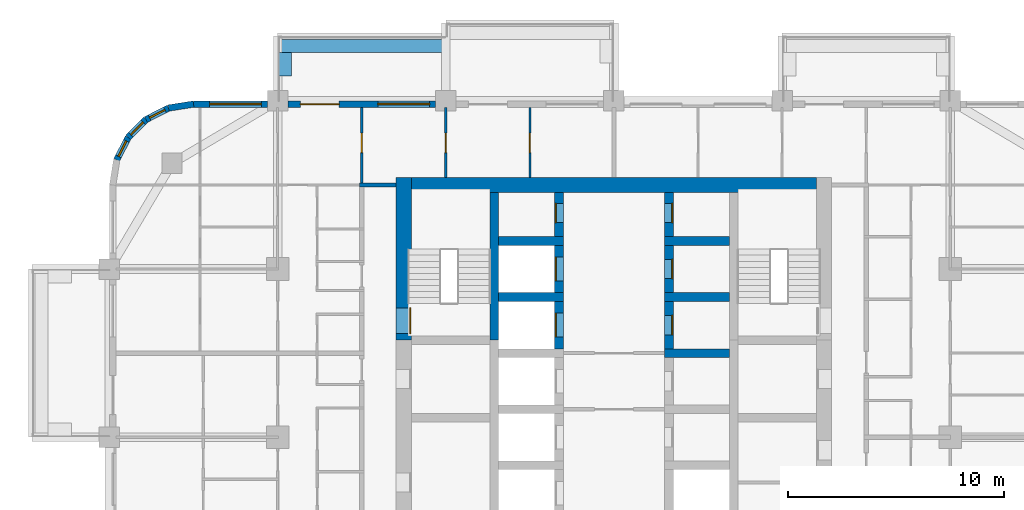
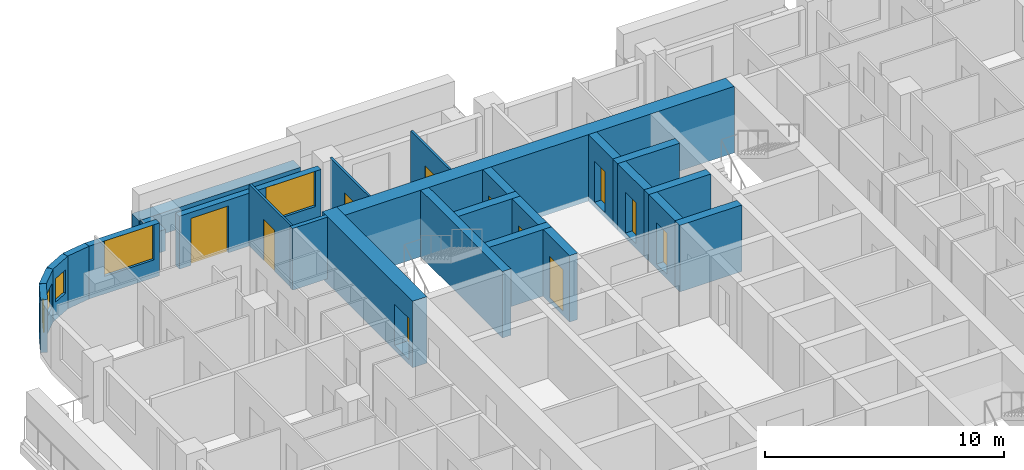
# One storey, part 11 of 18: 26 walls, 11 doors, 5 windows, 16 openings.
"""IFC4 building model written with IfcOpenShell, lengths in metres."""

from ifc_helpers import new_model, si_unit, direction, frame, frame_2d, origin, place, context, subcontext, project, spatial, rectangle, extrude, material, layer, layer_set, type_object, element, fill, save


model = new_model("IFC4")

# Units and contexts
model_context = context("Model", 3, precision=1e-05, world=origin(), true_north=direction((0.0, 1.0)))
body_context = subcontext(model_context, "Body", "Model", "MODEL_VIEW")
ifc_project = project(units=[si_unit("LENGTHUNIT", "METRE"), si_unit("AREAUNIT", "SQUARE_METRE"), si_unit("VOLUMEUNIT", "CUBIC_METRE"), si_unit("PLANEANGLEUNIT", "RADIAN"), si_unit("MASSUNIT", "GRAM", prefix="KILO")], contexts=[model_context])

# Site, building, storey
site_placement = place(None, origin())
site = spatial("IfcSite", under=ifc_project, at=site_placement, CompositionType="ELEMENT")
building_placement = place(site_placement, origin())
building = spatial("IfcBuilding", under=site, at=building_placement, Name="Ludao Terraces", CompositionType="ELEMENT")
storey_placement = place(building_placement, frame((0.0, 0.0, 61.39990234375)))
storey = spatial("IfcBuildingStorey", under=building, at=storey_placement, Name="L16", CompositionType="ELEMENT", Elevation=61.39990234375)

# Wall, opening, door
ifc_material_1 = material(Name="Concrete C70", Category="concrete")
ifc_layer_1 = layer(ifc_material_1, 0.699951171875)
ifc_layer_set_1 = layer_set([ifc_layer_1], Name="Core wall 700 C70")
wall_type_1 = type_object("IfcWallType", Name="Core wall 700 C70", PredefinedType="SOLIDWALL", material=ifc_layer_set_1)
wall_1_placement = place(storey_placement, frame((75.25, 77.300048828125, -0.25), z_axis=(0.0, 0.0, 1.0), x_axis=(0.0, 1.0, 0.0)))
wall_1 = element("IfcWall", 1, at=wall_1_placement, inside=storey, type_object=wall_type_1, Name="Core wall L16 outer-W-S1", PredefinedType="SOLIDWALL", context=body_context, shape_type="SweptSolid", body=[
    extrude(rectangle(XDim=7.550048828125, YDim=0.699951171875, at=frame_2d((3.77490234375, 0.0))), origin(), (0.0, 0.0, 1.0), 3.400146484375),
])
opening_1_placement = place(wall_1_placement, frame((0.300048828125, 0.0, 0.25)))
opening_1 = element("IfcOpeningElement", 2, at=opening_1_placement, cuts=wall_1, Name="Opening R05-135", PredefinedType="OPENING", context=body_context, shape_type="SweptSolid", body=[
    extrude(rectangle(XDim=1.199951171875, YDim=2.10009765625, at=frame_2d((0.60009765625, 1.050048828125))), frame((0.0, 0.35986328125, 0.0), z_axis=(0.0, -1.0, 0.0), x_axis=(1.0, 0.0, 0.0)), (0.0, 0.0, 1.0), 0.719970703125),
])
ifc_material_2 = material(Name="Steel Q235", Category="steel")
door_type_1 = type_object("IfcDoorType", Name="INT Stair door 1200", OperationType="DOUBLE_DOOR_SINGLE_SWING", PredefinedType="DOOR", material=ifc_material_2)
door_1_placement = place(opening_1_placement, origin())
door_1 = element("IfcDoor", 3, at=door_1_placement, inside=storey, type_object=door_type_1, Name="DOOR 135", OperationType="DOUBLE_DOOR_SINGLE_SWING", OverallHeight=2.10009765625, OverallWidth=1.199951171875, PredefinedType="DOOR", context=body_context, shape_type="SweptSolid", body=[
    extrude(rectangle(XDim=1.199951171875, YDim=2.10009765625, at=frame_2d((0.60009765625, 1.050048828125))), frame((0.0, -0.28515625, 0.0), z_axis=(0.0, -1.0, 0.0), x_axis=(1.0, 0.0, 0.0)), (0.0, 0.0, 1.0), 0.050048828125),
])
fill(opening_1, door_1)

# Walls
wall_2_placement = place(storey_placement, frame((75.60009765625, 84.5, -0.25), z_axis=(0.0, 0.0, 1.0), x_axis=(1.0, 0.0, 0.0)))
element("IfcWall", 4, at=wall_2_placement, inside=storey, type_object=wall_type_1, Name="Core wall L16 outer-N", PredefinedType="SOLIDWALL", context=body_context, shape_type="SweptSolid", body=[
    extrude(rectangle(XDim=18.7998046875, YDim=0.699951171875, at=frame_2d((9.39990234375, 0.0))), origin(), (0.0, 0.0, 1.0), 3.400146484375),
])
ifc_material_3 = material(Name="Concrete C40", Category="concrete")
ifc_layer_2 = layer(ifc_material_3, 0.60009765625)
ifc_layer_set_2 = layer_set([ifc_layer_2], Name="ENV Planter trough 600")
wall_type_2 = type_object("IfcWallType", Name="ENV Planter trough 600", PredefinedType="USERDEFINED", material=ifc_layer_set_2)
wall_3_placement = place(storey_placement, frame((69.39990234375, 90.949951171875, 0.0), z_axis=(0.0, 0.0, 1.0), x_axis=(1.0, 0.0, 0.0)))
element("IfcWall", 5, at=wall_3_placement, inside=storey, type_object=wall_type_2, Name="PL-L16-N1", ObjectType="PLANTER", PredefinedType="USERDEFINED", context=body_context, shape_type="SweptSolid", body=[
    extrude(rectangle(XDim=7.800048828125, YDim=0.60009765625, at=frame_2d((3.89990234375, 0.0))), origin(), (0.0, 0.0, 1.0), 1.10009765625),
])
wall_4_placement = place(storey_placement, frame((69.75, 90.64990234375, 0.0), z_axis=(0.0, 0.0, 1.0), x_axis=(0.0, -1.0, 0.0)))
element("IfcWall", 6, at=wall_4_placement, inside=storey, type_object=wall_type_2, Name="PL-L16-N1-SA", ObjectType="PLANTER", PredefinedType="USERDEFINED", context=body_context, shape_type="SweptSolid", body=[
    extrude(rectangle(XDim=1.099853515625, YDim=0.60009765625, at=frame_2d((0.5498046875, 0.0))), origin(), (0.0, 0.0, 1.0), 1.10009765625),
])

# Wall, opening, window
ifc_material_4 = material(Name="Granite cladding", Category="masonry")
ifc_layer_3 = layer(ifc_material_4, 0.0400390625, Category="stone")
ifc_material_5 = material(Name="Mineral wool")
ifc_layer_4 = layer(ifc_material_5, 0.06005859375)
ifc_layer_5 = layer(ifc_material_3, 0.199951171875, Category="concrete")
ifc_layer_set_3 = layer_set([ifc_layer_3, ifc_layer_4, ifc_layer_5], Name="ENV Stone-clad wall 300")
wall_type_3 = type_object("IfcWallType", Name="ENV Stone-clad wall 300", PredefinedType="SOLIDWALL", material=ifc_layer_set_3)
wall_5_placement = place(storey_placement, frame((65.5, 88.25, 0.0), z_axis=(0.0, 0.0, 1.0), x_axis=(1.0, 0.0, 0.0)))
wall_5 = element("IfcWall", 7, at=wall_5_placement, inside=storey, type_object=wall_type_3, Name="EW-L16-N1", PredefinedType="SOLIDWALL", context=body_context, shape_type="SweptSolid", body=[
    extrude(rectangle(XDim=3.425048828125, YDim=0.300048828125, at=frame_2d((1.71240234375, 0.0))), origin(), (0.0, 0.0, 1.0), 2.7001953125),
])
opening_2_placement = place(wall_5_placement, frame((0.75, 0.0, 0.89990234375)))
opening_2 = element("IfcOpeningElement", 8, at=opening_2_placement, cuts=wall_5, Name="Opening W1", PredefinedType="OPENING", context=body_context, shape_type="SweptSolid", body=[
    extrude(rectangle(XDim=2.39990234375, YDim=1.800048828125, at=frame_2d((1.199951171875, 0.89990234375))), frame((0.0, 0.16015625, 0.0), z_axis=(0.0, -1.0, 0.0), x_axis=(1.0, 0.0, 0.0)), (0.0, 0.0, 1.0), 0.320068359375),
])
ifc_material_6 = material(Name="Clear glass in aluminium frame", Category="aluminium")
ifc_layer_6 = layer(ifc_material_6, 0.06005859375)
ifc_layer_set_4 = layer_set([ifc_layer_6], Name="ENV Window W1 2400x1800")
window_type_1 = type_object("IfcWindowType", Name="ENV Window W1 2400x1800", PartitioningType="DOUBLE_PANEL_VERTICAL", PredefinedType="WINDOW", material=ifc_layer_set_4)
window_1_placement = place(opening_2_placement, origin())
window_1 = element("IfcWindow", 9, at=window_1_placement, inside=storey, type_object=window_type_1, Name="W-L16-N1-1", OverallHeight=1.800048828125, OverallWidth=2.39990234375, PartitioningType="DOUBLE_PANEL_VERTICAL", PredefinedType="WINDOW", context=body_context, shape_type="SweptSolid", body=[
    extrude(rectangle(XDim=2.39990234375, YDim=1.800048828125, at=frame_2d((1.199951171875, 0.89990234375))), frame((0.0, 0.030029296875, 0.0), z_axis=(0.0, -1.0, 0.0), x_axis=(1.0, 0.0, 0.0)), (0.0, 0.0, 1.0), 0.06005859375),
])
fill(opening_2, window_1)

# Wall, openings, door, window
wall_6_placement = place(storey_placement, frame((69.875, 88.25, 0.0), z_axis=(0.0, 0.0, 1.0), x_axis=(1.0, 0.0, 0.0)))
wall_6 = element("IfcWall", 10, at=wall_6_placement, inside=storey, type_object=wall_type_3, Name="EW-L16-N2", PredefinedType="SOLIDWALL", context=body_context, shape_type="SweptSolid", body=[
    extrude(rectangle(XDim=6.85009765625, YDim=0.300048828125, at=frame_2d((3.425048828125, 0.0))), origin(), (0.0, 0.0, 1.0), 2.7001953125),
])
opening_3_placement = place(wall_6_placement, frame((0.574951171875, 0.0, 0.0)))
opening_3 = element("IfcOpeningElement", 11, at=opening_3_placement, cuts=wall_6, Name="Opening BD", PredefinedType="OPENING", context=body_context, shape_type="SweptSolid", body=[
    extrude(rectangle(XDim=1.800048828125, YDim=2.39990234375, at=frame_2d((0.89990234375, 1.199951171875))), frame((0.0, 0.16015625, 0.0), z_axis=(0.0, -1.0, 0.0), x_axis=(1.0, 0.0, 0.0)), (0.0, 0.0, 1.0), 0.320068359375),
])
opening_4_placement = place(wall_6_placement, frame((4.175048828125, 0.0, 0.89990234375)))
opening_4 = element("IfcOpeningElement", 12, at=opening_4_placement, cuts=wall_6, Name="Opening W1", PredefinedType="OPENING", context=body_context, shape_type="SweptSolid", body=[
    extrude(rectangle(XDim=2.39990234375, YDim=1.800048828125, at=frame_2d((1.199951171875, 0.89990234375))), frame((0.0, 0.16015625, 0.0), z_axis=(0.0, -1.0, 0.0), x_axis=(1.0, 0.0, 0.0)), (0.0, 0.0, 1.0), 0.320068359375),
])
ifc_material_7 = material(Name="Aluminium glazed door", Category="aluminium")
ifc_layer_7 = layer(ifc_material_7, 0.06005859375)
ifc_layer_set_5 = layer_set([ifc_layer_7], Name="ENV Balcony door BD 1800x2400")
door_type_2 = type_object("IfcDoorType", Name="ENV Balcony door BD 1800x2400", OperationType="DOUBLE_DOOR_SINGLE_SWING", PredefinedType="DOOR", material=ifc_layer_set_5)
door_2_placement = place(opening_3_placement, origin())
door_2 = element("IfcDoor", 13, at=door_2_placement, inside=storey, type_object=door_type_2, Name="BD-L16-N2-1", OperationType="DOUBLE_DOOR_SINGLE_SWING", OverallHeight=2.39990234375, OverallWidth=1.800048828125, PredefinedType="DOOR", context=body_context, shape_type="SweptSolid", body=[
    extrude(rectangle(XDim=1.800048828125, YDim=2.39990234375, at=frame_2d((0.89990234375, 1.199951171875))), frame((0.0, 0.02490234375, 0.0), z_axis=(0.0, -1.0, 0.0), x_axis=(1.0, 0.0, 0.0)), (0.0, 0.0, 1.0), 0.050048828125),
])
fill(opening_3, door_2)
window_2_placement = place(opening_4_placement, origin())
window_2 = element("IfcWindow", 14, at=window_2_placement, inside=storey, type_object=window_type_1, Name="W-L16-N2-2", OverallHeight=1.800048828125, OverallWidth=2.39990234375, PartitioningType="DOUBLE_PANEL_VERTICAL", PredefinedType="WINDOW", context=body_context, shape_type="SweptSolid", body=[
    extrude(rectangle(XDim=2.39990234375, YDim=1.800048828125, at=frame_2d((1.199951171875, 0.89990234375))), frame((0.0, 0.030029296875, 0.0), z_axis=(0.0, -1.0, 0.0), x_axis=(1.0, 0.0, 0.0)), (0.0, 0.0, 1.0), 0.06005859375),
])
fill(opening_4, window_2)

# Wall
wall_7_placement = place(storey_placement, frame((65.5, 88.25, 0.0), z_axis=(0.0, 0.0, 1.0), x_axis=(-0.987678452879, -0.156496880861, 0.0)))
element("IfcWall", 15, at=wall_7_placement, inside=storey, type_object=wall_type_3, Name="EW-L16-NW1", PredefinedType="SOLIDWALL", context=body_context, shape_type="SweptSolid", body=[
    extrude(rectangle(XDim=1.173095703125, YDim=0.300048828125, at=frame_2d((0.58642578125, 0.0))), origin(), (0.0, 0.0, 1.0), 2.7001953125),
])

# Wall, opening, window
wall_8_placement = place(storey_placement, frame((64.34130859375, 88.06640625, 0.0), z_axis=(0.0, 0.0, 1.0), x_axis=(-0.890988677504, -0.454025524128, 0.0)))
wall_8 = element("IfcWall", 16, at=wall_8_placement, inside=storey, type_object=wall_type_3, Name="EW-L16-NW2", PredefinedType="SOLIDWALL", context=body_context, shape_type="SweptSolid", body=[
    extrude(rectangle(XDim=1.17333984375, YDim=0.300048828125, at=frame_2d((0.586669921875, 0.0))), origin(), (0.0, 0.0, 1.0), 2.7001953125),
])
opening_5_placement = place(wall_8_placement, frame((0.1865234375, 0.0, 0.89990234375)))
opening_5 = element("IfcOpeningElement", 17, at=opening_5_placement, cuts=wall_8, Name="Opening W3", PredefinedType="OPENING", context=body_context, shape_type="SweptSolid", body=[
    extrude(rectangle(XDim=0.800048828125, YDim=1.199951171875, at=frame_2d((0.39990234375, 0.60009765625))), frame((0.0, 0.16015625, 0.0), z_axis=(0.0, -1.0, 0.0), x_axis=(1.0, 0.0, 0.0)), (0.0, 0.0, 1.0), 0.320068359375),
])
ifc_layer_8 = layer(ifc_material_6, 0.06005859375)
ifc_layer_set_6 = layer_set([ifc_layer_8], Name="ENV Window W3 800x1200")
window_type_2 = type_object("IfcWindowType", Name="ENV Window W3 800x1200", PartitioningType="SINGLE_PANEL", PredefinedType="WINDOW", material=ifc_layer_set_6)
window_3_placement = place(opening_5_placement, origin())
window_3 = element("IfcWindow", 18, at=window_3_placement, inside=storey, type_object=window_type_2, Name="W-L16-NW2", OverallHeight=1.199951171875, OverallWidth=0.800048828125, PartitioningType="SINGLE_PANEL", PredefinedType="WINDOW", context=body_context, shape_type="SweptSolid", body=[
    extrude(rectangle(XDim=0.800048828125, YDim=1.199951171875, at=frame_2d((0.39990234375, 0.60009765625))), frame((0.0, 0.030029296875, 0.0), z_axis=(0.0, -1.0, 0.0), x_axis=(1.0, 0.0, 0.0)), (0.0, 0.0, 1.0), 0.06005859375),
])
fill(opening_5, window_3)

wall_9_placement = place(storey_placement, frame((63.2958984375, 87.53369140625, 0.0), z_axis=(0.0, 0.0, 1.0), x_axis=(-0.707106781187, -0.707106781187, 0.0)))
wall_9 = element("IfcWall", 19, at=wall_9_placement, inside=storey, type_object=wall_type_3, Name="EW-L16-NW3", PredefinedType="SOLIDWALL", context=body_context, shape_type="SweptSolid", body=[
    extrude(rectangle(XDim=1.173095703125, YDim=0.300048828125, at=frame_2d((0.58642578125, 0.0))), origin(), (0.0, 0.0, 1.0), 2.7001953125),
])
opening_6_placement = place(wall_9_placement, frame((0.1865234375, 0.0, 0.89990234375)))
opening_6 = element("IfcOpeningElement", 20, at=opening_6_placement, cuts=wall_9, Name="Opening W3", PredefinedType="OPENING", context=body_context, shape_type="SweptSolid", body=[
    extrude(rectangle(XDim=0.800048828125, YDim=1.199951171875, at=frame_2d((0.39990234375, 0.60009765625))), frame((0.0, 0.16015625, 0.0), z_axis=(0.0, -1.0, 0.0), x_axis=(1.0, 0.0, 0.0)), (0.0, 0.0, 1.0), 0.320068359375),
])
window_4_placement = place(opening_6_placement, origin())
window_4 = element("IfcWindow", 21, at=window_4_placement, inside=storey, type_object=window_type_2, Name="W-L16-NW3", OverallHeight=1.199951171875, OverallWidth=0.800048828125, PartitioningType="SINGLE_PANEL", PredefinedType="WINDOW", context=body_context, shape_type="SweptSolid", body=[
    extrude(rectangle(XDim=0.800048828125, YDim=1.199951171875, at=frame_2d((0.39990234375, 0.60009765625))), frame((0.0, 0.030029296875, 0.0), z_axis=(0.0, -1.0, 0.0), x_axis=(1.0, 0.0, 0.0)), (0.0, 0.0, 1.0), 0.06005859375),
])
fill(opening_6, window_4)

wall_10_placement = place(storey_placement, frame((62.46630859375, 86.7041015625, 0.0), z_axis=(0.0, 0.0, 1.0), x_axis=(-0.454025524128, -0.890988677504, 0.0)))
wall_10 = element("IfcWall", 22, at=wall_10_placement, inside=storey, type_object=wall_type_3, Name="EW-L16-NW4", PredefinedType="SOLIDWALL", context=body_context, shape_type="SweptSolid", body=[
    extrude(rectangle(XDim=1.17333984375, YDim=0.300048828125, at=frame_2d((0.586669921875, 0.0))), origin(), (0.0, 0.0, 1.0), 2.7001953125),
])
opening_7_placement = place(wall_10_placement, frame((0.1865234375, 0.0, 0.89990234375)))
opening_7 = element("IfcOpeningElement", 23, at=opening_7_placement, cuts=wall_10, Name="Opening W3", PredefinedType="OPENING", context=body_context, shape_type="SweptSolid", body=[
    extrude(rectangle(XDim=0.800048828125, YDim=1.199951171875, at=frame_2d((0.39990234375, 0.60009765625))), frame((0.0, 0.16015625, 0.0), z_axis=(0.0, -1.0, 0.0), x_axis=(1.0, 0.0, 0.0)), (0.0, 0.0, 1.0), 0.320068359375),
])
window_5_placement = place(opening_7_placement, origin())
window_5 = element("IfcWindow", 24, at=window_5_placement, inside=storey, type_object=window_type_2, Name="W-L16-NW4", OverallHeight=1.199951171875, OverallWidth=0.800048828125, PartitioningType="SINGLE_PANEL", PredefinedType="WINDOW", context=body_context, shape_type="SweptSolid", body=[
    extrude(rectangle(XDim=0.800048828125, YDim=1.199951171875, at=frame_2d((0.39990234375, 0.60009765625))), frame((0.0, 0.030029296875, 0.0), z_axis=(0.0, -1.0, 0.0), x_axis=(1.0, 0.0, 0.0)), (0.0, 0.0, 1.0), 0.06005859375),
])
fill(opening_7, window_5)

# Wall
ifc_material_8 = material(Name="Autoclaved aerated concrete block B06 A3.5", Category="concrete")
ifc_layer_9 = layer(ifc_material_8, 0.199951171875)
ifc_layer_set_7 = layer_set([ifc_layer_9], Name="INT Entrance wall 200")
wall_type_4 = type_object("IfcWallType", Name="INT Entrance wall 200", PredefinedType="PARTITIONING", material=ifc_layer_set_7)
wall_11_placement = place(storey_placement, frame((73.2001953125, 84.5, 0.0), z_axis=(0.0, 0.0, 1.0), x_axis=(1.0, 0.0, 0.0)))
element("IfcWall", 25, at=wall_11_placement, inside=storey, type_object=wall_type_4, Name="PW-L16-PW078", PredefinedType="PARTITIONING", context=body_context, shape_type="SweptSolid", body=[
    extrude(rectangle(XDim=1.699951171875, YDim=0.199951171875, at=frame_2d((0.85009765625, 0.0))), origin(), (0.0, 0.0, 1.0), 3.150146484375),
])

# Wall, opening, door
ifc_material_9 = material(Name="Gypsum plasterboard", Category="gypsum")
ifc_layer_10 = layer(ifc_material_9, 0.012451171875, Category="gypsum")
ifc_layer_11 = layer(ifc_material_5, 0.06005859375, Name="insulation")
ifc_layer_12 = layer(ifc_material_2, 0.014892578125, Name="stud")
ifc_layer_13 = layer(ifc_material_9, 0.012451171875, Category="gypsum")
ifc_layer_set_8 = layer_set([ifc_layer_10, ifc_layer_11, ifc_layer_12, ifc_layer_13], Name="INT Partition 100")
wall_type_5 = type_object("IfcWallType", Name="INT Partition 100", PredefinedType="PARTITIONING", material=ifc_layer_set_8)
wall_12_placement = place(storey_placement, frame((73.300048828125, 84.60009765625, 0.0), z_axis=(0.0, 0.0, 1.0), x_axis=(0.0, 1.0, 0.0)))
wall_12 = element("IfcWall", 26, at=wall_12_placement, inside=storey, type_object=wall_type_5, Name="PW-L16-PW093", PredefinedType="PARTITIONING", context=body_context, shape_type="SweptSolid", body=[
    extrude(rectangle(XDim=3.5, YDim=0.10009765625, at=frame_2d((1.75, 0.0))), origin(), (0.0, 0.0, 1.0), 3.150146484375),
])
opening_8_placement = place(wall_12_placement, frame((1.39990234375, 0.0, 0.0)))
opening_8 = element("IfcOpeningElement", 27, at=opening_8_placement, cuts=wall_12, Name="Opening R05-161", PredefinedType="OPENING", context=body_context, shape_type="SweptSolid", body=[
    extrude(rectangle(XDim=0.89990234375, YDim=2.10009765625, at=frame_2d((0.449951171875, 1.050048828125))), frame((0.0, 0.06005859375, 0.0), z_axis=(0.0, -1.0, 0.0), x_axis=(1.0, 0.0, 0.0)), (0.0, 0.0, 1.0), 0.1201171875),
])
ifc_material_10 = material(Name="Timber door leaf", Category="wood")
door_type_3 = type_object("IfcDoorType", Name="INT Room door 900", OperationType="SINGLE_SWING_LEFT", PredefinedType="DOOR", material=ifc_material_10)
door_3_placement = place(opening_8_placement, origin())
door_3 = element("IfcDoor", 28, at=door_3_placement, inside=storey, type_object=door_type_3, Name="DOOR 161", OperationType="SINGLE_SWING_LEFT", OverallHeight=2.10009765625, OverallWidth=0.89990234375, PredefinedType="DOOR", context=body_context, shape_type="SweptSolid", body=[
    extrude(rectangle(XDim=0.89990234375, YDim=2.10009765625, at=frame_2d((0.449951171875, 1.050048828125))), frame((0.0, 0.02490234375, 0.0), z_axis=(0.0, -1.0, 0.0), x_axis=(1.0, 0.0, 0.0)), (0.0, 0.0, 1.0), 0.050048828125),
])
fill(opening_8, door_3)

wall_13_placement = place(storey_placement, frame((77.199951171875, 84.85009765625, 0.0), z_axis=(0.0, 0.0, 1.0), x_axis=(0.0, 1.0, 0.0)))
wall_13 = element("IfcWall", 29, at=wall_13_placement, inside=storey, type_object=wall_type_5, Name="PW-L16-PW097", PredefinedType="PARTITIONING", context=body_context, shape_type="SweptSolid", body=[
    extrude(rectangle(XDim=3.25, YDim=0.10009765625, at=frame_2d((1.625, 0.0))), origin(), (0.0, 0.0, 1.0), 3.150146484375),
])
opening_9_placement = place(wall_13_placement, frame((1.14990234375, 0.0, 0.0)))
opening_9 = element("IfcOpeningElement", 30, at=opening_9_placement, cuts=wall_13, Name="Opening R05-162", PredefinedType="OPENING", context=body_context, shape_type="SweptSolid", body=[
    extrude(rectangle(XDim=0.89990234375, YDim=2.10009765625, at=frame_2d((0.449951171875, 1.050048828125))), frame((0.0, 0.06005859375, 0.0), z_axis=(0.0, -1.0, 0.0), x_axis=(1.0, 0.0, 0.0)), (0.0, 0.0, 1.0), 0.1201171875),
])
door_4_placement = place(opening_9_placement, origin())
door_4 = element("IfcDoor", 31, at=door_4_placement, inside=storey, type_object=door_type_3, Name="DOOR 162", OperationType="SINGLE_SWING_RIGHT", OverallHeight=2.10009765625, OverallWidth=0.89990234375, PredefinedType="DOOR", context=body_context, shape_type="SweptSolid", body=[
    extrude(rectangle(XDim=0.89990234375, YDim=2.10009765625, at=frame_2d((0.449951171875, 1.050048828125))), frame((0.0, 0.02490234375, 0.0), z_axis=(0.0, -1.0, 0.0), x_axis=(1.0, 0.0, 0.0)), (0.0, 0.0, 1.0), 0.050048828125),
])
fill(opening_9, door_4)

wall_14_placement = place(storey_placement, frame((81.10009765625, 84.85009765625, 0.0), z_axis=(0.0, 0.0, 1.0), x_axis=(0.0, 1.0, 0.0)))
wall_14 = element("IfcWall", 32, at=wall_14_placement, inside=storey, type_object=wall_type_5, Name="PW-L16-PW102", PredefinedType="PARTITIONING", context=body_context, shape_type="SweptSolid", body=[
    extrude(rectangle(XDim=3.25, YDim=0.10009765625, at=frame_2d((1.625, 0.0))), origin(), (0.0, 0.0, 1.0), 3.150146484375),
])
opening_10_placement = place(wall_14_placement, frame((1.14990234375, 0.0, 0.0)))
opening_10 = element("IfcOpeningElement", 33, at=opening_10_placement, cuts=wall_14, Name="Opening R05-163", PredefinedType="OPENING", context=body_context, shape_type="SweptSolid", body=[
    extrude(rectangle(XDim=0.89990234375, YDim=2.10009765625, at=frame_2d((0.449951171875, 1.050048828125))), frame((0.0, 0.06005859375, 0.0), z_axis=(0.0, -1.0, 0.0), x_axis=(1.0, 0.0, 0.0)), (0.0, 0.0, 1.0), 0.1201171875),
])
door_5_placement = place(opening_10_placement, origin())
door_5 = element("IfcDoor", 34, at=door_5_placement, inside=storey, type_object=door_type_3, Name="DOOR 163", OperationType="SINGLE_SWING_RIGHT", OverallHeight=2.10009765625, OverallWidth=0.89990234375, PredefinedType="DOOR", context=body_context, shape_type="SweptSolid", body=[
    extrude(rectangle(XDim=0.89990234375, YDim=2.10009765625, at=frame_2d((0.449951171875, 1.050048828125))), frame((0.0, 0.02490234375, 0.0), z_axis=(0.0, -1.0, 0.0), x_axis=(1.0, 0.0, 0.0)), (0.0, 0.0, 1.0), 0.050048828125),
])
fill(opening_10, door_5)

# Wall
ifc_material_11 = material(Name="Concrete C60", Category="concrete")
ifc_layer_14 = layer(ifc_material_11, 0.39990234375)
ifc_layer_set_9 = layer_set([ifc_layer_14], Name="Shaft wall 400 C60")
wall_type_6 = type_object("IfcWallType", Name="Shaft wall 400 C60", PredefinedType="SOLIDWALL", material=ifc_layer_set_9)
wall_15_placement = place(storey_placement, frame((79.449951171875, 77.300048828125, -0.25), z_axis=(0.0, 0.0, 1.0), x_axis=(0.0, 1.0, 0.0)))
element("IfcWall", 35, at=wall_15_placement, inside=storey, type_object=wall_type_6, Name="Core wall L16 back-W-S1", PredefinedType="SOLIDWALL", context=body_context, shape_type="SweptSolid", body=[
    extrude(rectangle(XDim=6.849853515625, YDim=0.39990234375, at=frame_2d((3.4248046875, 0.0))), origin(), (0.0, 0.0, 1.0), 3.400146484375),
])

# Wall, opening, door
wall_16_placement = place(storey_placement, frame((82.449951171875, 76.89990234375, -0.25), z_axis=(0.0, 0.0, 1.0), x_axis=(0.0, 1.0, 0.0)))
wall_16 = element("IfcWall", 36, at=wall_16_placement, inside=storey, type_object=wall_type_6, Name="Core wall L16 front-W7", PredefinedType="SOLIDWALL", context=body_context, shape_type="SweptSolid", body=[
    extrude(rectangle(XDim=2.2001953125, YDim=0.39990234375, at=frame_2d((1.10009765625, 0.0))), origin(), (0.0, 0.0, 1.0), 3.400146484375),
])
opening_11_placement = place(wall_16_placement, frame((0.550048828125, 0.0, 0.25)))
opening_11 = element("IfcOpeningElement", 37, at=opening_11_placement, cuts=wall_16, Name="Opening LD-FF1", PredefinedType="OPENING", context=body_context, shape_type="SweptSolid", body=[
    extrude(rectangle(XDim=1.10009765625, YDim=2.10009765625, at=frame_2d((0.550048828125, 1.050048828125))), frame((0.0, 0.2099609375, 0.0), z_axis=(0.0, -1.0, 0.0), x_axis=(1.0, 0.0, 0.0)), (0.0, 0.0, 1.0), 0.419921875),
])
ifc_material_12 = material(Name="Stainless steel 304", Category="steel")
door_type_4 = type_object("IfcDoorType", Name="INT Lift landing door 1100", OperationType="SLIDING_TO_LEFT", PredefinedType="DOOR", material=ifc_material_12)
door_6_placement = place(opening_11_placement, origin())
door_6 = element("IfcDoor", 38, at=door_6_placement, inside=storey, type_object=door_type_4, Name="LANDING DOOR FF1 L16", OperationType="SLIDING_TO_LEFT", OverallHeight=2.10009765625, OverallWidth=1.10009765625, PredefinedType="DOOR", context=body_context, shape_type="SweptSolid", body=[
    extrude(rectangle(XDim=1.10009765625, YDim=2.10009765625, at=frame_2d((0.550048828125, 1.050048828125))), frame((0.0, 0.18505859375, 0.0), z_axis=(0.0, -1.0, 0.0), x_axis=(1.0, 0.0, 0.0)), (0.0, 0.0, 1.0), 0.050048828125),
])
fill(opening_11, door_6)

# Wall
wall_17_placement = place(storey_placement, frame((79.64990234375, 79.300048828125, -0.25), z_axis=(0.0, 0.0, 1.0), x_axis=(1.0, 0.0, 0.0)))
element("IfcWall", 39, at=wall_17_placement, inside=storey, type_object=wall_type_6, Name="Core wall L16 div-W8", PredefinedType="SOLIDWALL", context=body_context, shape_type="SweptSolid", body=[
    extrude(rectangle(XDim=3.0, YDim=0.39990234375, at=frame_2d((1.5, 0.0))), origin(), (0.0, 0.0, 1.0), 3.400146484375),
])

# Wall, opening, door
wall_18_placement = place(storey_placement, frame((82.449951171875, 79.5, -0.25), z_axis=(0.0, 0.0, 1.0), x_axis=(0.0, 1.0, 0.0)))
wall_18 = element("IfcWall", 40, at=wall_18_placement, inside=storey, type_object=wall_type_6, Name="Core wall L16 front-W8", PredefinedType="SOLIDWALL", context=body_context, shape_type="SweptSolid", body=[
    extrude(rectangle(XDim=2.199951171875, YDim=0.39990234375, at=frame_2d((1.10009765625, 0.0))), origin(), (0.0, 0.0, 1.0), 3.400146484375),
])
opening_12_placement = place(wall_18_placement, frame((0.550048828125, 0.0, 0.25)))
opening_12 = element("IfcOpeningElement", 41, at=opening_12_placement, cuts=wall_18, Name="Opening LD-FF2", PredefinedType="OPENING", context=body_context, shape_type="SweptSolid", body=[
    extrude(rectangle(XDim=1.10009765625, YDim=2.10009765625, at=frame_2d((0.550048828125, 1.050048828125))), frame((0.0, 0.2099609375, 0.0), z_axis=(0.0, -1.0, 0.0), x_axis=(1.0, 0.0, 0.0)), (0.0, 0.0, 1.0), 0.419921875),
])
door_7_placement = place(opening_12_placement, origin())
door_7 = element("IfcDoor", 42, at=door_7_placement, inside=storey, type_object=door_type_4, Name="LANDING DOOR FF2 L16", OperationType="SLIDING_TO_LEFT", OverallHeight=2.10009765625, OverallWidth=1.10009765625, PredefinedType="DOOR", context=body_context, shape_type="SweptSolid", body=[
    extrude(rectangle(XDim=1.10009765625, YDim=2.10009765625, at=frame_2d((0.550048828125, 1.050048828125))), frame((0.0, 0.18505859375, 0.0), z_axis=(0.0, -1.0, 0.0), x_axis=(1.0, 0.0, 0.0)), (0.0, 0.0, 1.0), 0.050048828125),
])
fill(opening_12, door_7)

# Wall
wall_19_placement = place(storey_placement, frame((79.64990234375, 81.89990234375, -0.25), z_axis=(0.0, 0.0, 1.0), x_axis=(1.0, 0.0, 0.0)))
element("IfcWall", 43, at=wall_19_placement, inside=storey, type_object=wall_type_6, Name="Core wall L16 div-W9", PredefinedType="SOLIDWALL", context=body_context, shape_type="SweptSolid", body=[
    extrude(rectangle(XDim=3.0, YDim=0.39990234375, at=frame_2d((1.5, 0.0))), origin(), (0.0, 0.0, 1.0), 3.400146484375),
])

# Wall, opening, door
wall_20_placement = place(storey_placement, frame((82.449951171875, 82.10009765625, -0.25), z_axis=(0.0, 0.0, 1.0), x_axis=(0.0, 1.0, 0.0)))
wall_20 = element("IfcWall", 44, at=wall_20_placement, inside=storey, type_object=wall_type_6, Name="Core wall L16 front-W9", PredefinedType="SOLIDWALL", context=body_context, shape_type="SweptSolid", body=[
    extrude(rectangle(XDim=2.0498046875, YDim=0.39990234375, at=frame_2d((1.02490234375, 0.0))), origin(), (0.0, 0.0, 1.0), 3.400146484375),
])
opening_13_placement = place(wall_20_placement, frame((0.64990234375, 0.0, 0.25)))
opening_13 = element("IfcOpeningElement", 45, at=opening_13_placement, cuts=wall_20, Name="Opening R05-149", PredefinedType="OPENING", context=body_context, shape_type="SweptSolid", body=[
    extrude(rectangle(XDim=0.89990234375, YDim=2.10009765625, at=frame_2d((0.449951171875, 1.050048828125))), frame((0.0, 0.2099609375, 0.0), z_axis=(0.0, -1.0, 0.0), x_axis=(1.0, 0.0, 0.0)), (0.0, 0.0, 1.0), 0.419921875),
])
door_8_placement = place(opening_13_placement, origin())
door_8 = element("IfcDoor", 46, at=door_8_placement, inside=storey, type_object=door_type_3, Name="DOOR 149", OperationType="SINGLE_SWING_RIGHT", OverallHeight=2.10009765625, OverallWidth=0.89990234375, PredefinedType="DOOR", context=body_context, shape_type="SweptSolid", body=[
    extrude(rectangle(XDim=0.89990234375, YDim=2.10009765625, at=frame_2d((0.449951171875, 1.050048828125))), frame((0.0, 0.18505859375, 0.0), z_axis=(0.0, -1.0, 0.0), x_axis=(1.0, 0.0, 0.0)), (0.0, 0.0, 1.0), 0.050048828125),
])
fill(opening_13, door_8)

# Wall
wall_21_placement = place(storey_placement, frame((87.35009765625, 76.699951171875, -0.25), z_axis=(0.0, 0.0, 1.0), x_axis=(1.0, 0.0, 0.0)))
element("IfcWall", 47, at=wall_21_placement, inside=storey, type_object=wall_type_6, Name="Core wall L16 div-E7", PredefinedType="SOLIDWALL", context=body_context, shape_type="SweptSolid", body=[
    extrude(rectangle(XDim=3.0, YDim=0.39990234375, at=frame_2d((1.5, 0.0))), origin(), (0.0, 0.0, 1.0), 3.400146484375),
])

# Wall, opening, door
wall_22_placement = place(storey_placement, frame((87.550048828125, 76.89990234375, -0.25), z_axis=(0.0, 0.0, 1.0), x_axis=(0.0, 1.0, 0.0)))
wall_22 = element("IfcWall", 48, at=wall_22_placement, inside=storey, type_object=wall_type_6, Name="Core wall L16 front-E7", PredefinedType="SOLIDWALL", context=body_context, shape_type="SweptSolid", body=[
    extrude(rectangle(XDim=2.2001953125, YDim=0.39990234375, at=frame_2d((1.10009765625, 0.0))), origin(), (0.0, 0.0, 1.0), 3.400146484375),
])
opening_14_placement = place(wall_22_placement, frame((0.64990234375, 0.0, 0.25)))
opening_14 = element("IfcOpeningElement", 49, at=opening_14_placement, cuts=wall_22, Name="Opening R05-134", PredefinedType="OPENING", context=body_context, shape_type="SweptSolid", body=[
    extrude(rectangle(XDim=0.89990234375, YDim=2.10009765625, at=frame_2d((0.449951171875, 1.050048828125))), frame((0.0, 0.2099609375, 0.0), z_axis=(0.0, -1.0, 0.0), x_axis=(1.0, 0.0, 0.0)), (0.0, 0.0, 1.0), 0.419921875),
])
door_9_placement = place(opening_14_placement, origin())
door_9 = element("IfcDoor", 50, at=door_9_placement, inside=storey, type_object=door_type_3, Name="DOOR 134", OperationType="SINGLE_SWING_RIGHT", OverallHeight=2.10009765625, OverallWidth=0.89990234375, PredefinedType="DOOR", context=body_context, shape_type="SweptSolid", body=[
    extrude(rectangle(XDim=0.89990234375, YDim=2.10009765625, at=frame_2d((0.449951171875, 1.050048828125))), frame((0.0, -0.134765625, 0.0), z_axis=(0.0, -1.0, 0.0), x_axis=(1.0, 0.0, 0.0)), (0.0, 0.0, 1.0), 0.050048828125),
])
fill(opening_14, door_9)

# Wall
wall_23_placement = place(storey_placement, frame((87.35009765625, 79.300048828125, -0.25), z_axis=(0.0, 0.0, 1.0), x_axis=(1.0, 0.0, 0.0)))
element("IfcWall", 51, at=wall_23_placement, inside=storey, type_object=wall_type_6, Name="Core wall L16 div-E8", PredefinedType="SOLIDWALL", context=body_context, shape_type="SweptSolid", body=[
    extrude(rectangle(XDim=3.0, YDim=0.39990234375, at=frame_2d((1.5, 0.0))), origin(), (0.0, 0.0, 1.0), 3.400146484375),
])

# Wall, opening, door
wall_24_placement = place(storey_placement, frame((87.550048828125, 79.5, -0.25), z_axis=(0.0, 0.0, 1.0), x_axis=(0.0, 1.0, 0.0)))
wall_24 = element("IfcWall", 52, at=wall_24_placement, inside=storey, type_object=wall_type_6, Name="Core wall L16 front-E8", PredefinedType="SOLIDWALL", context=body_context, shape_type="SweptSolid", body=[
    extrude(rectangle(XDim=2.199951171875, YDim=0.39990234375, at=frame_2d((1.10009765625, 0.0))), origin(), (0.0, 0.0, 1.0), 3.400146484375),
])
opening_15_placement = place(wall_24_placement, frame((0.64990234375, 0.0, 0.25)))
opening_15 = element("IfcOpeningElement", 53, at=opening_15_placement, cuts=wall_24, Name="Opening R05-144", PredefinedType="OPENING", context=body_context, shape_type="SweptSolid", body=[
    extrude(rectangle(XDim=0.89990234375, YDim=2.10009765625, at=frame_2d((0.449951171875, 1.050048828125))), frame((0.0, 0.2099609375, 0.0), z_axis=(0.0, -1.0, 0.0), x_axis=(1.0, 0.0, 0.0)), (0.0, 0.0, 1.0), 0.419921875),
])
door_10_placement = place(opening_15_placement, origin())
door_10 = element("IfcDoor", 54, at=door_10_placement, inside=storey, type_object=door_type_3, Name="DOOR 144", OperationType="SINGLE_SWING_LEFT", OverallHeight=2.10009765625, OverallWidth=0.89990234375, PredefinedType="DOOR", context=body_context, shape_type="SweptSolid", body=[
    extrude(rectangle(XDim=0.89990234375, YDim=2.10009765625, at=frame_2d((0.449951171875, 1.050048828125))), frame((0.0, -0.134765625, 0.0), z_axis=(0.0, -1.0, 0.0), x_axis=(1.0, 0.0, 0.0)), (0.0, 0.0, 1.0), 0.050048828125),
])
fill(opening_15, door_10)

# Wall
wall_25_placement = place(storey_placement, frame((87.35009765625, 81.89990234375, -0.25), z_axis=(0.0, 0.0, 1.0), x_axis=(1.0, 0.0, 0.0)))
element("IfcWall", 55, at=wall_25_placement, inside=storey, type_object=wall_type_6, Name="Core wall L16 div-E9", PredefinedType="SOLIDWALL", context=body_context, shape_type="SweptSolid", body=[
    extrude(rectangle(XDim=3.0, YDim=0.39990234375, at=frame_2d((1.5, 0.0))), origin(), (0.0, 0.0, 1.0), 3.400146484375),
])

# Wall, opening, door
wall_26_placement = place(storey_placement, frame((87.550048828125, 82.10009765625, -0.25), z_axis=(0.0, 0.0, 1.0), x_axis=(0.0, 1.0, 0.0)))
wall_26 = element("IfcWall", 56, at=wall_26_placement, inside=storey, type_object=wall_type_6, Name="Core wall L16 front-E9", PredefinedType="SOLIDWALL", context=body_context, shape_type="SweptSolid", body=[
    extrude(rectangle(XDim=2.0498046875, YDim=0.39990234375, at=frame_2d((1.02490234375, 0.0))), origin(), (0.0, 0.0, 1.0), 3.400146484375),
])
opening_16_placement = place(wall_26_placement, frame((0.64990234375, 0.0, 0.25)))
opening_16 = element("IfcOpeningElement", 57, at=opening_16_placement, cuts=wall_26, Name="Opening R05-150", PredefinedType="OPENING", context=body_context, shape_type="SweptSolid", body=[
    extrude(rectangle(XDim=0.89990234375, YDim=2.10009765625, at=frame_2d((0.449951171875, 1.050048828125))), frame((0.0, 0.2099609375, 0.0), z_axis=(0.0, -1.0, 0.0), x_axis=(1.0, 0.0, 0.0)), (0.0, 0.0, 1.0), 0.419921875),
])
door_11_placement = place(opening_16_placement, origin())
door_11 = element("IfcDoor", 58, at=door_11_placement, inside=storey, type_object=door_type_3, Name="DOOR 150", OperationType="SINGLE_SWING_LEFT", OverallHeight=2.10009765625, OverallWidth=0.89990234375, PredefinedType="DOOR", context=body_context, shape_type="SweptSolid", body=[
    extrude(rectangle(XDim=0.89990234375, YDim=2.10009765625, at=frame_2d((0.449951171875, 1.050048828125))), frame((0.0, -0.134765625, 0.0), z_axis=(0.0, -1.0, 0.0), x_axis=(1.0, 0.0, 0.0)), (0.0, 0.0, 1.0), 0.050048828125),
])
fill(opening_16, door_11)

save(model, "model.ifc")
